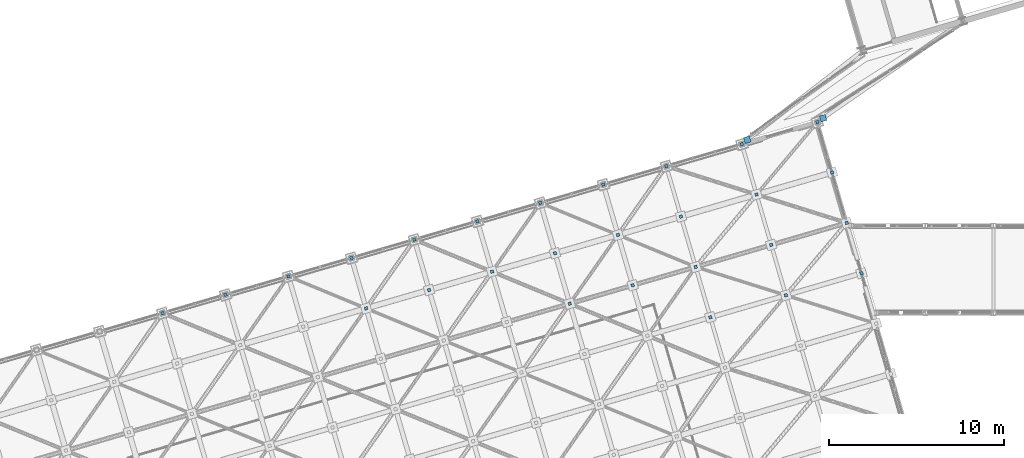
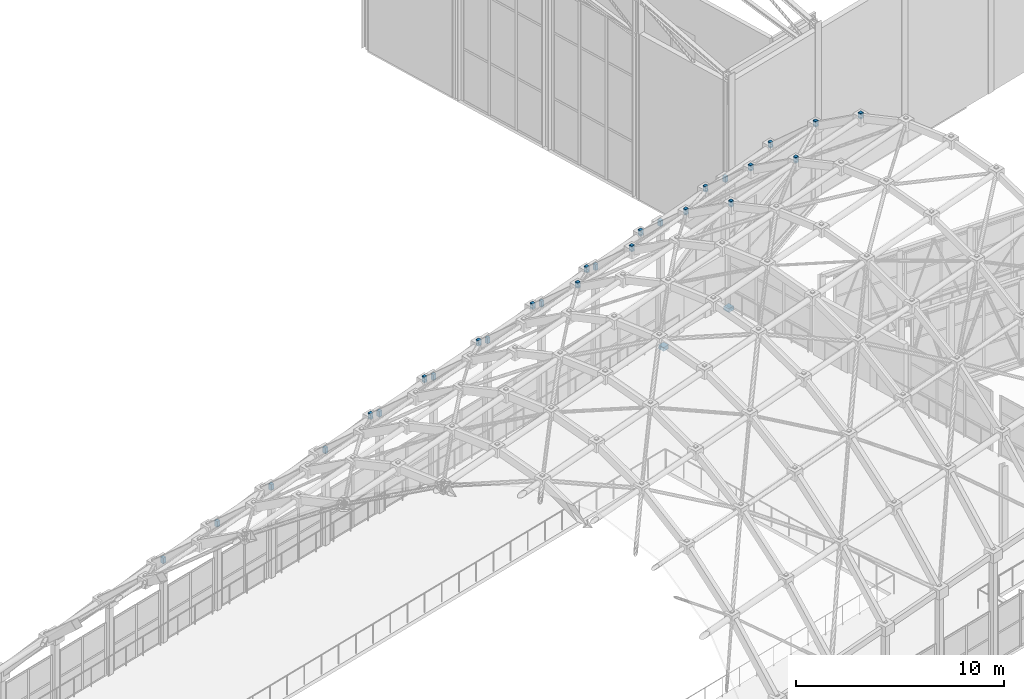
# One storey, part 235 of 248: 29 discrete accessories.
"""IFC4 building model written with IfcOpenShell, lengths in metres."""

from ifc_helpers import new_model, si_unit, direction, frame, origin, origin_2d, place, context, subcontext, project, spatial, rectangle, extrude, material, type_object, element, save


model = new_model("IFC4")

# Units and contexts
model_context = context("Model", 3, precision=1e-05, world=origin(), true_north=direction((0.0, 1.0)))
body_context = subcontext(model_context, "Body", "Model", "MODEL_VIEW")
ifc_project = project(units=[si_unit("LENGTHUNIT", "METRE"), si_unit("AREAUNIT", "SQUARE_METRE"), si_unit("VOLUMEUNIT", "CUBIC_METRE"), si_unit("PLANEANGLEUNIT", "RADIAN"), si_unit("MASSUNIT", "GRAM", prefix="KILO")], contexts=[model_context])

# Site, building, storey
site_placement = place(None, origin())
site = spatial("IfcSite", under=ifc_project, at=site_placement, CompositionType="ELEMENT")
building_placement = place(site_placement, origin())
building = spatial("IfcBuilding", under=site, at=building_placement, Name="Canggui Botanical Conservatory", CompositionType="ELEMENT")
storey_placement = place(building_placement, frame((0.0, 0.0, 5.39990234375)))
storey = spatial("IfcBuildingStorey", under=building, at=storey_placement, Name="L02", CompositionType="ELEMENT", Elevation=5.39990234375)

# Discrete accessories
ifc_material_1 = material(Name="Stainless Steel 316", Category="steel")
discrete_accessory_type_1 = type_object("IfcDiscreteAccessoryType", Name="ACC-BRK01", PredefinedType="BRACKET", material=ifc_material_1)
for number, where, z_axis, x_axis, name in (
    (1, (26.0, 75.0, 4.58984375), (0.0, 0.0, 1.0), (0.960000000041, 0.279999999861, 0.0), "Gridshell Glazing Spider Bracket GS-N055"),
    (2, (29.60009765625, 76.050048828125, 4.83984375), (0.0, 0.0, 1.0), (0.960000000041, 0.279999999861, 0.0), "Gridshell Glazing Spider Bracket GS-N066"),
    (3, (33.199951171875, 77.10009765625, 5.08984375), (0.0, 0.0, 1.0), (0.960000000041, 0.279999999861, 0.0), "Gridshell Glazing Spider Bracket GS-N077"),
    (4, (37.639892578125, 75.27001953125, 8.7958984375), (0.0, 0.0, 1.0), (0.960000000041, 0.279999999861, 0.0), "Gridshell Glazing Spider Bracket GS-N087"),
    (5, (36.800048828125, 78.14990234375, 5.33984375), (0.0, 0.0, 1.0), (0.960000000041, 0.279999999861, 0.0), "Gridshell Glazing Spider Bracket GS-N088"),
    (6, (41.239990234375, 76.320068359375, 9.0458984375), (0.0, 0.0, 1.0), (0.960000000041, 0.279999999861, 0.0), "Gridshell Glazing Spider Bracket GS-N098"),
    (7, (40.39990234375, 79.199951171875, 5.58984375), (0.0, 0.0, 1.0), (0.960000000041, 0.279999999861, 0.0), "Gridshell Glazing Spider Bracket GS-N099"),
    (8, (44.840087890625, 77.3701171875, 9.2958984375), (0.0, 0.0, 1.0), (0.960000000041, 0.279999999861, 0.0), "Gridshell Glazing Spider Bracket GS-N109"),
    (9, (44.0, 80.25, 5.83984375), (0.0, 0.0, 1.0), (0.960000000041, 0.279999999861, 0.0), "Gridshell Glazing Spider Bracket GS-N110"),
    (10, (49.280029296875, 75.5400390625, 12.23388671875), (0.0, 0.0, 1.0), (0.960000000041, 0.279999999861, 0.0), "Gridshell Glazing Spider Bracket GS-N119"),
    (11, (48.43994140625, 78.419921875, 9.5458984375), (0.0, 0.0, 1.0), (0.960000000041, 0.279999999861, 0.0), "Gridshell Glazing Spider Bracket GS-N120"),
    (12, (47.60009765625, 81.300048828125, 6.08984375), (0.0, 0.0, 1.0), (0.960000000041, 0.279999999861, 0.0), "Gridshell Glazing Spider Bracket GS-N121"),
    (13, (52.8798828125, 76.590087890625, 12.48388671875), (0.0, 0.0, 1.0), (0.960000000041, 0.279999999861, 0.0), "Gridshell Glazing Spider Bracket GS-N130"),
    (14, (52.0400390625, 79.469970703125, 9.7958984375), (0.0, 0.0, 1.0), (0.960000000041, 0.279999999861, 0.0), "Gridshell Glazing Spider Bracket GS-N131"),
    (15, (51.199951171875, 82.35009765625, 6.33984375), (0.0, 0.0, 1.0), (0.960000000041, 0.279999999861, 0.0), "Gridshell Glazing Spider Bracket GS-N132"),
    (16, (57.320068359375, 74.760009765625, 14.654296875), (0.0, 0.0, 1.0), (0.960000000041, 0.279999999861, 0.0), "Gridshell Glazing Spider Bracket GS-N140"),
    (17, (56.47998046875, 77.639892578125, 12.73388671875), (0.0, 0.0, 1.0), (0.960000000041, 0.279999999861, 0.0), "Gridshell Glazing Spider Bracket GS-N141"),
    (18, (55.639892578125, 80.52001953125, 10.0458984375), (0.0, 0.0, 1.0), (0.960000000041, 0.279999999861, 0.0), "Gridshell Glazing Spider Bracket GS-N142"),
    (19, (54.800048828125, 83.39990234375, 6.58984375), (0.0, 0.0, 1.0), (0.960000000041, 0.279999999861, 0.0), "Gridshell Glazing Spider Bracket GS-N143"),
    (20, (61.639892578125, 76.02001953125, 14.9541015625), (0.0, 0.0, 1.0), (0.960000000041, 0.279999999861, 0.0), "Gridshell Glazing Spider Bracket GS-N151"),
    (21, (60.800048828125, 78.89990234375, 13.0341796875), (0.0, 0.0, 1.0), (0.960000000041, 0.279999999861, 0.0), "Gridshell Glazing Spider Bracket GS-N152"),
    (22, (59.9599609375, 81.780029296875, 10.34619140625), (0.0, 0.0, 1.0), (0.960000000041, 0.279999999861, 0.0), "Gridshell Glazing Spider Bracket GS-N153"),
    (23, (59.1201171875, 84.659912109375, 6.89013671875), (0.0, 0.0, 1.0), (0.960000000041, 0.279999999861, 0.0), "Gridshell Glazing Spider Bracket GS-N154"),
    (24, (65.9599609375, 77.280029296875, 15.25390625), (0.0, 0.0, 1.0), (0.960000000041, 0.279999999861, 0.0), "Gridshell Glazing Spider Bracket GS-N162"),
    (25, (65.1201171875, 80.159912109375, 13.333984375), (0.0, 0.0, 1.0), (0.960000000041, 0.279999999861, 0.0), "Gridshell Glazing Spider Bracket GS-N163"),
    (26, (64.280029296875, 83.0400390625, 10.64599609375), (0.0, 0.0, 1.0), (0.960000000041, 0.279999999861, 0.0), "Gridshell Glazing Spider Bracket GS-N164"),
    (27, (63.43994140625, 85.919921875, 7.18994140625), (0.0, 0.0, 1.0), (0.960000000041, 0.279999999861, 0.0), "Gridshell Glazing Spider Bracket GS-N165"),
):
    element("IfcDiscreteAccessory", number, at=place(storey_placement, frame(where, z_axis=z_axis, x_axis=x_axis)), inside=storey, type_object=discrete_accessory_type_1, Name=name, PredefinedType="BRACKET", context=body_context, shape_type="SweptSolid", body=[
        extrude(rectangle(XDim=0.179931640625, YDim=0.179931640625, at=origin_2d()), origin(), (0.0, 0.0, 1.0), 0.340087890625),
    ])
ifc_material_2 = material(Name="Steel Q355B", Category="steel")
discrete_accessory_type_2 = type_object("IfcDiscreteAccessoryType", Name="ACC-SBN01", PredefinedType="SHOE", material=ifc_material_2)
for number, where, z_axis, x_axis, name in (
    (28, (59.43603515625, 84.9052734375, -0.58984375), (0.0, 0.0, 1.0), (0.960000000041, 0.279999999861, 0.0), "Unguided Bidirectional PTFE Sliding Bearing SBN-03-1"),
    (29, (63.768798828125, 86.147705078125, -0.58984375), (0.0, 0.0, 1.0), (0.960000000041, 0.279999999861, 0.0), "Unguided Bidirectional PTFE Sliding Bearing SBN-03-2"),
):
    element("IfcDiscreteAccessory", number, at=place(storey_placement, frame(where, z_axis=z_axis, x_axis=x_axis)), inside=storey, type_object=discrete_accessory_type_2, Name=name, PredefinedType="SHOE", context=body_context, shape_type="SweptSolid", body=[
        extrude(rectangle(XDim=0.35009765625, YDim=0.35009765625, at=origin_2d()), origin(), (0.0, 0.0, 1.0), 0.219970703125),
    ])

save(model, "model.ifc")
